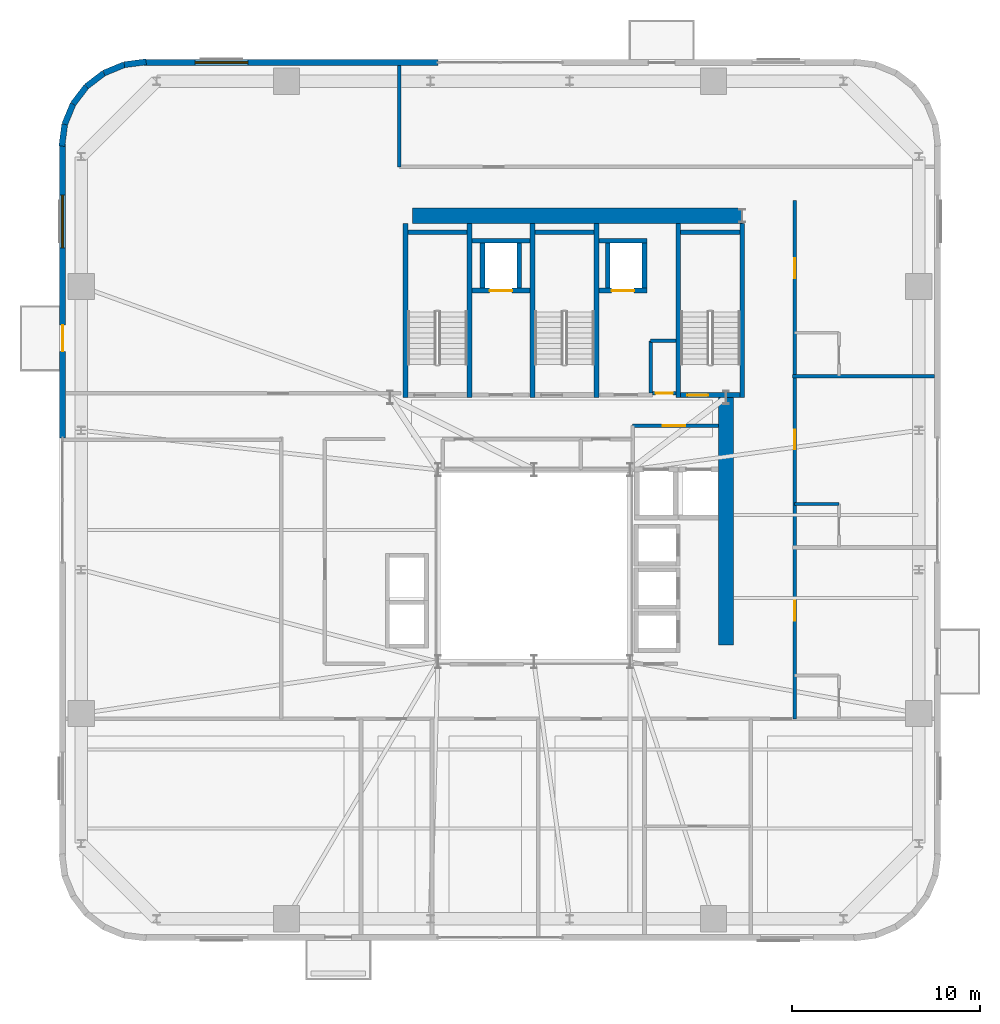
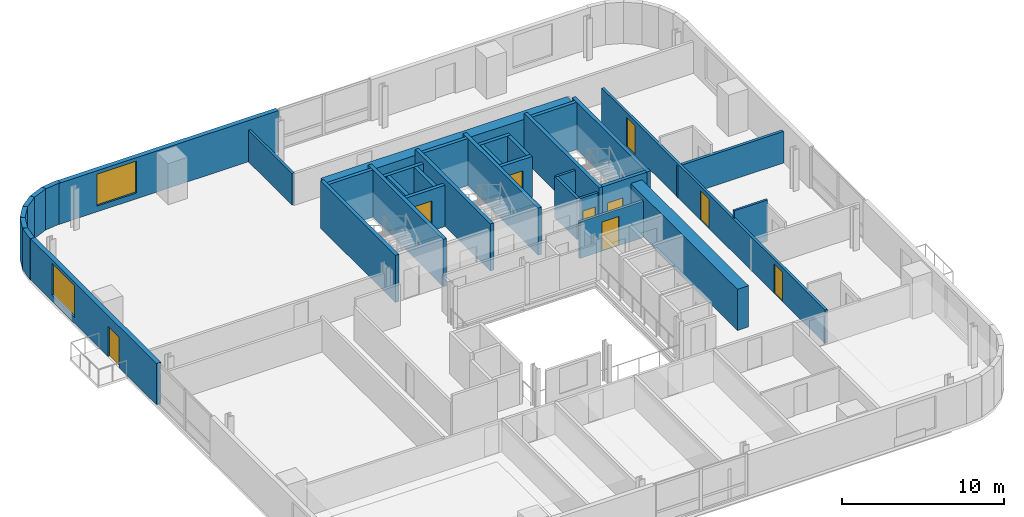
# One storey, part 9 of 13: 36 walls, 9 doors, 2 windows, 11 openings.
"""IFC4 building model written with IfcOpenShell, lengths in metres."""

from ifc_helpers import new_model, si_unit, direction, frame, frame_2d, origin, place, context, subcontext, project, spatial, rectangle, extrude, source, transform, mapped, material, layer, layer_set, type_object, element, fill, save


model = new_model("IFC4")

# Units and contexts
model_context = context("Model", 3, precision=1e-05, world=origin(), true_north=direction((0.0, 1.0)))
body_context = subcontext(model_context, "Body", "Model", "MODEL_VIEW")
ifc_project = project(units=[si_unit("LENGTHUNIT", "METRE"), si_unit("AREAUNIT", "SQUARE_METRE"), si_unit("VOLUMEUNIT", "CUBIC_METRE"), si_unit("PLANEANGLEUNIT", "RADIAN"), si_unit("MASSUNIT", "GRAM", prefix="KILO")], contexts=[model_context])

# Site, building, storey
site_placement = place(None, origin())
site = spatial("IfcSite", under=ifc_project, at=site_placement, CompositionType="ELEMENT")
building_placement = place(site_placement, origin())
building = spatial("IfcBuilding", under=site, at=building_placement, Name="Vardaveli Station Tower", CompositionType="ELEMENT")
storey_placement = place(building_placement, frame((0.0, 0.0, 233.550048828125)))
storey = spatial("IfcBuildingStorey", under=building, at=storey_placement, Name="L60", CompositionType="ELEMENT", Elevation=233.550048828125)

# Walls
ifc_material_1 = material(Name="Concrete C50/60", Category="concrete")
ifc_layer_1 = layer(ifc_material_1, 0.800048828125, Name="Concrete C50/60")
ifc_layer_set_1 = layer_set([ifc_layer_1], Name="Concrete C50/60")
wall_type_1 = type_object("IfcWallType", Name="WAL-CORE-800", PredefinedType="SHEAR", material=ifc_layer_set_1)
shared_shape_1 = source(origin(), body_context, "Body", "SweptSolid", [
    extrude(rectangle(XDim=17.52001953125, YDim=0.800048828125, at=frame_2d((8.760009765625, 0.0))), origin(), (0.0, 0.0, 1.0), 3.099853515625),
])
wall_1_placement = place(storey_placement, frame((29.85009765625, 40.300048828125, 0.0), z_axis=(0.0, 0.0, 1.0), x_axis=(1.0, 0.0, 0.0)))
element("IfcWall", 1, at=wall_1_placement, inside=storey, type_object=wall_type_1, Name="SW-L60-NORTH", PredefinedType="SHEAR", context=body_context, shape_type="MappedRepresentation", body=[
    mapped(shared_shape_1, transform((0.0, 0.0, 0.0), scale=1.0)),
])
shared_shape_2 = source(origin(), body_context, "Body", "SweptSolid", [
    extrude(rectangle(XDim=13.14990234375, YDim=0.800048828125, at=frame_2d((6.574951171875, 0.0))), origin(), (0.0, 0.0, 1.0), 3.099853515625),
])
wall_2_placement = place(storey_placement, frame((46.5, 17.5, 0.0), z_axis=(0.0, 0.0, 1.0), x_axis=(0.0, 1.0, 0.0)))
element("IfcWall", 2, at=wall_2_placement, inside=storey, type_object=wall_type_1, Name="SW-L60-EAST2", PredefinedType="SHEAR", context=body_context, shape_type="MappedRepresentation", body=[
    mapped(shared_shape_2, transform((0.0, 0.0, 0.0), scale=1.0)),
])

# Wall, opening, window
ifc_material_2 = material(Name="Precast concrete C45/55", Category="concrete")
ifc_layer_2 = layer(ifc_material_2, 0.320068359375, Name="Precast concrete C45/55")
ifc_layer_set_2 = layer_set([ifc_layer_2], Name="Precast concrete C45/55")
wall_type_2 = type_object("IfcWallType", Name="WAL-EXT-STONE-320", PredefinedType="SOLIDWALL", material=ifc_layer_set_2)
shared_shape_3 = source(origin(), body_context, "Body", "SweptSolid", [
    extrude(rectangle(XDim=15.599853515625, YDim=0.320068359375, at=frame_2d((7.7998046875, 0.0))), origin(), (0.0, 0.0, 1.0), 3.099853515625),
])
wall_3_placement = place(storey_placement, frame((31.199951171875, 48.43994140625, 0.0), z_axis=(0.0, 0.0, 1.0), x_axis=(-1.0, 0.0, 0.0)))
wall_3 = element("IfcWall", 3, at=wall_3_placement, inside=storey, type_object=wall_type_2, Name="EW-L60-N2", PredefinedType="SOLIDWALL", context=body_context, shape_type="MappedRepresentation", body=[
    mapped(shared_shape_3, transform((0.0, 0.0, 0.0), scale=1.0)),
])
shared_shape_4 = source(origin(), body_context, "Body", "SweptSolid", [
    extrude(rectangle(XDim=2.800048828125, YDim=2.39990234375, at=frame_2d((1.39990234375, 1.199951171875))), frame((0.0, 0.169921875, 0.0), z_axis=(0.0, -1.0, 0.0), x_axis=(1.0, 0.0, 0.0)), (0.0, 0.0, 1.0), 0.340087890625),
])
opening_1_placement = place(wall_3_placement, frame((10.094970703125, 0.0, 0.43994140625)))
opening_1 = element("IfcOpeningElement", 4, at=opening_1_placement, cuts=wall_3, Name="Opening W-04", PredefinedType="OPENING", context=body_context, shape_type="MappedRepresentation", body=[
    mapped(shared_shape_4, transform((0.0, 0.0, 0.0), scale=1.0)),
])
ifc_material_3 = material(Name="Low-E solar-control glass", Category="glass")
window_type = type_object("IfcWindowType", Name="WIN-SUITE-2800x2400", PartitioningType="SINGLE_PANEL", PredefinedType="WINDOW", material=ifc_material_3)
shared_shape_5 = source(origin(), body_context, "Body", "SweptSolid", [
    extrude(rectangle(XDim=2.800048828125, YDim=2.39990234375, at=frame_2d((1.39990234375, 1.199951171875))), frame((0.0, 0.030029296875, 0.0), z_axis=(0.0, -1.0, 0.0), x_axis=(1.0, 0.0, 0.0)), (0.0, 0.0, 1.0), 0.06005859375),
])
window_1_placement = place(opening_1_placement, origin())
window_1 = element("IfcWindow", 5, at=window_1_placement, inside=storey, type_object=window_type, Name="WN-L60-N2", OverallHeight=2.39990234375, OverallWidth=2.800048828125, PartitioningType="SINGLE_PANEL", PredefinedType="WINDOW", context=body_context, shape_type="MappedRepresentation", body=[
    mapped(shared_shape_5, transform((0.0, 0.0, 0.0), scale=1.0)),
])
fill(opening_1, window_1)

# Wall, openings, door, window
shared_shape_6 = source(origin(), body_context, "Body", "SweptSolid", [
    extrude(rectangle(XDim=15.60009765625, YDim=0.320068359375, at=frame_2d((7.800048828125, 0.0))), origin(), (0.0, 0.0, 1.0), 3.099853515625),
])
wall_4_placement = place(storey_placement, frame((11.260009765625, 44.10009765625, 0.0), z_axis=(0.0, 0.0, 1.0), x_axis=(0.0, -1.0, 0.0)))
wall_4 = element("IfcWall", 6, at=wall_4_placement, inside=storey, type_object=wall_type_2, Name="EW-L60-W1", PredefinedType="SOLIDWALL", context=body_context, shape_type="MappedRepresentation", body=[
    mapped(shared_shape_6, transform((0.0, 0.0, 0.0), scale=1.0)),
])
shared_shape_7 = source(origin(), body_context, "Body", "SweptSolid", [
    extrude(rectangle(XDim=1.39990234375, YDim=2.300048828125, at=frame_2d((0.699951171875, 1.14990234375))), frame((0.0, 0.169921875, 0.0), z_axis=(0.0, -1.0, 0.0), x_axis=(1.0, 0.0, 0.0)), (0.0, 0.0, 1.0), 0.340087890625),
])
opening_2_placement = place(wall_4_placement, frame((9.6103515625, 0.0, 0.0)))
opening_2 = element("IfcOpeningElement", 7, at=opening_2_placement, cuts=wall_4, Name="Opening D-09", PredefinedType="OPENING", context=body_context, shape_type="MappedRepresentation", body=[
    mapped(shared_shape_7, transform((0.0, 0.0, 0.0), scale=1.0)),
])
opening_3_placement = place(wall_4_placement, frame((2.705078125, 0.0, 0.43994140625)))
opening_3 = element("IfcOpeningElement", 8, at=opening_3_placement, cuts=wall_4, Name="Opening W-04", PredefinedType="OPENING", context=body_context, shape_type="MappedRepresentation", body=[
    mapped(shared_shape_4, transform((0.0, 0.0, 0.0), scale=1.0)),
])
ifc_material_4 = material(Name="Thermally broken aluminium glass", Category="aluminium")
door_type_1 = type_object("IfcDoorType", Name="DR-LOG-1400x2300", OperationType="DOUBLE_DOOR_SLIDING", PredefinedType="DOOR", material=ifc_material_4)
shared_shape_8 = source(origin(), body_context, "Body", "SweptSolid", [
    extrude(rectangle(XDim=1.39990234375, YDim=2.300048828125, at=frame_2d((0.699951171875, 1.14990234375))), frame((0.0, 0.02490234375, 0.0), z_axis=(0.0, -1.0, 0.0), x_axis=(1.0, 0.0, 0.0)), (0.0, 0.0, 1.0), 0.050048828125),
])
door_1_placement = place(opening_2_placement, frame((1.39990234375, 0.0, 0.0), z_axis=(0.0, 0.0, 1.0), x_axis=(-1.0, 0.0, 0.0)))
door_1 = element("IfcDoor", 9, at=door_1_placement, inside=storey, type_object=door_type_1, Name="DLG-L60-W", OperationType="DOUBLE_DOOR_SLIDING", OverallHeight=2.300048828125, OverallWidth=1.39990234375, PredefinedType="DOOR", context=body_context, shape_type="MappedRepresentation", body=[
    mapped(shared_shape_8, transform((0.0, 0.0, 0.0), scale=1.0)),
])
fill(opening_2, door_1)
window_2_placement = place(opening_3_placement, origin())
window_2 = element("IfcWindow", 10, at=window_2_placement, inside=storey, type_object=window_type, Name="WN-L60-W1", OverallHeight=2.39990234375, OverallWidth=2.800048828125, PartitioningType="SINGLE_PANEL", PredefinedType="WINDOW", context=body_context, shape_type="MappedRepresentation", body=[
    mapped(shared_shape_5, transform((0.0, 0.0, 0.0), scale=1.0)),
])
fill(opening_3, window_2)

# Walls
shared_shape_9 = source(origin(), body_context, "Body", "SweptSolid", [
    extrude(rectangle(XDim=1.1689453125, YDim=0.320068359375, at=frame_2d((0.58447265625, 0.0))), origin(), (0.0, 0.0, 1.0), 3.099853515625),
])
wall_5_placement = place(storey_placement, frame((12.53125, 47.1689453125, 0.0), z_axis=(0.0, 0.0, 1.0), x_axis=(-0.608387696831, -0.793639975269, 0.0)))
element("IfcWall", 11, at=wall_5_placement, inside=storey, type_object=wall_type_2, Name="EW-L60-CR4-4", PredefinedType="SOLIDWALL", context=body_context, shape_type="MappedRepresentation", body=[
    mapped(shared_shape_9, transform((0.0, 0.0, 0.0), scale=1.0)),
])
shared_shape_10 = source(origin(), body_context, "Body", "SweptSolid", [
    extrude(rectangle(XDim=1.168701171875, YDim=0.320068359375, at=frame_2d((0.58447265625, 0.0))), origin(), (0.0, 0.0, 1.0), 3.099853515625),
])
wall_6_placement = place(storey_placement, frame((13.458740234375, 47.8798828125, 0.0), z_axis=(0.0, 0.0, 1.0), x_axis=(-0.793663520347, -0.608356981114, 0.0)))
element("IfcWall", 12, at=wall_6_placement, inside=storey, type_object=wall_type_2, Name="EW-L60-CR4-3", PredefinedType="SOLIDWALL", context=body_context, shape_type="MappedRepresentation", body=[
    mapped(shared_shape_10, transform((0.0, 0.0, 0.0), scale=1.0)),
])
shared_shape_11 = source(origin(), body_context, "Body", "SweptSolid", [
    extrude(rectangle(XDim=1.17041015625, YDim=0.320068359375, at=frame_2d((0.585205078125, 0.0))), origin(), (0.0, 0.0, 1.0), 3.099853515625),
])
for number, where, z_axis, x_axis, name in (
    (13, (15.700439453125, 48.4755859375, 0.0), (0.0, 0.0, 1.0), (-0.991735963317, -0.128295670475, 0.0), "EW-L60-CR4-1"),
    (14, (11.37451171875, 45.16015625, 0.0), (0.0, 0.0, 1.0), (-0.128295670475, -0.991735963317, 0.0), "EW-L60-CR4-6"),
):
    element("IfcWall", number, at=place(storey_placement, frame(where, z_axis=z_axis, x_axis=x_axis)), inside=storey, type_object=wall_type_2, Name=name, PredefinedType="SOLIDWALL", context=body_context, shape_type="MappedRepresentation", body=[
        mapped(shared_shape_11, transform((0.0, 0.0, 0.0), scale=1.0)),
    ])
shared_shape_12 = source(origin(), body_context, "Body", "SweptSolid", [
    extrude(rectangle(XDim=1.169189453125, YDim=0.320068359375, at=frame_2d((0.58447265625, 0.0))), origin(), (0.0, 0.0, 1.0), 3.099853515625),
])
for number, where, z_axis, x_axis, name in (
    (15, (14.539794921875, 48.325439453125, 0.0), (0.0, 0.0, 1.0), (-0.924552646638, -0.381054331552, 0.0), "EW-L60-CR4-2"),
    (16, (11.820068359375, 46.2412109375, 0.0), (0.0, 0.0, 1.0), (-0.381054331552, -0.924552646638, 0.0), "EW-L60-CR4-5"),
):
    element("IfcWall", number, at=place(storey_placement, frame(where, z_axis=z_axis, x_axis=x_axis)), inside=storey, type_object=wall_type_2, Name=name, PredefinedType="SOLIDWALL", context=body_context, shape_type="MappedRepresentation", body=[
        mapped(shared_shape_12, transform((0.0, 0.0, 0.0), scale=1.0)),
    ])
ifc_material_5 = material(Name="Concrete C40/50", Category="concrete")
ifc_layer_3 = layer(ifc_material_5, 0.25, Name="Concrete C40/50")
ifc_layer_set_3 = layer_set([ifc_layer_3], Name="Concrete C40/50")
wall_type_3 = type_object("IfcWallType", Name="WAL-SHAFT-250", PredefinedType="SOLIDWALL", material=ifc_layer_set_3)
shared_shape_13 = source(origin(), body_context, "Body", "SweptSolid", [
    extrude(rectangle(XDim=9.25, YDim=0.25, at=frame_2d((4.625, 0.0))), origin(), (0.0, 0.0, 1.0), 3.550048828125),
])
for number, where, z_axis, x_axis, name in (
    (17, (29.47509765625, 30.64990234375, 0.0), (0.0, 0.0, 1.0), (0.0, 1.0, 0.0), "W-L60-ST-1W"),
    (18, (32.875, 30.64990234375, 0.0), (0.0, 0.0, 1.0), (0.0, 1.0, 0.0), "W-L60-ST-1E"),
    (19, (36.22509765625, 30.64990234375, 0.0), (0.0, 0.0, 1.0), (0.0, 1.0, 0.0), "W-L60-ST-2W"),
    (20, (39.625, 30.64990234375, 0.0), (0.0, 0.0, 1.0), (0.0, 1.0, 0.0), "W-L60-ST-2E"),
    (21, (43.97509765625, 30.64990234375, 0.0), (0.0, 0.0, 1.0), (0.0, 1.0, 0.0), "W-L60-ST-3W"),
    (22, (47.375, 30.64990234375, 0.0), (0.0, 0.0, 1.0), (0.0, 1.0, 0.0), "W-L60-ST-3E"),
):
    element("IfcWall", number, at=place(storey_placement, frame(where, z_axis=z_axis, x_axis=x_axis)), inside=storey, type_object=wall_type_3, Name=name, PredefinedType="SOLIDWALL", context=body_context, shape_type="MappedRepresentation", body=[
        mapped(shared_shape_13, transform((0.0, 0.0, 0.0), scale=1.0)),
    ])
shared_shape_14 = source(origin(), body_context, "Body", "SweptSolid", [
    extrude(rectangle(XDim=3.14990234375, YDim=0.25, at=frame_2d((1.574951171875, 0.0))), origin(), (0.0, 0.0, 1.0), 3.550048828125),
])
for number, where, z_axis, x_axis, name in (
    (23, (29.60009765625, 39.425048828125, 0.0), (0.0, 0.0, 1.0), (1.0, 0.0, 0.0), "W-L60-ST-1N"),
    (24, (36.35009765625, 39.425048828125, 0.0), (0.0, 0.0, 1.0), (1.0, 0.0, 0.0), "W-L60-ST-2N"),
    (25, (44.10009765625, 39.425048828125, 0.0), (0.0, 0.0, 1.0), (1.0, 0.0, 0.0), "W-L60-ST-3N"),
):
    element("IfcWall", number, at=place(storey_placement, frame(where, z_axis=z_axis, x_axis=x_axis)), inside=storey, type_object=wall_type_3, Name=name, PredefinedType="SOLIDWALL", context=body_context, shape_type="MappedRepresentation", body=[
        mapped(shared_shape_14, transform((0.0, 0.0, 0.0), scale=1.0)),
    ])

# Wall, opening, door
wall_7_placement = place(storey_placement, frame((44.10009765625, 30.77490234375, 0.0), z_axis=(0.0, 0.0, 1.0), x_axis=(1.0, 0.0, 0.0)))
wall_7 = element("IfcWall", 26, at=wall_7_placement, inside=storey, type_object=wall_type_3, Name="W-L60-ST-3S", PredefinedType="SOLIDWALL", context=body_context, shape_type="MappedRepresentation", body=[
    mapped(shared_shape_14, transform((0.0, 0.0, 0.0), scale=1.0)),
])
shared_shape_15 = source(origin(), body_context, "Body", "SweptSolid", [
    extrude(rectangle(XDim=1.10009765625, YDim=2.199951171875, at=frame_2d((0.550048828125, 1.10009765625))), frame((0.0, 0.135009765625, 0.0), z_axis=(0.0, -1.0, 0.0), x_axis=(1.0, 0.0, 0.0)), (0.0, 0.0, 1.0), 0.27001953125),
])
opening_4_placement = place(wall_7_placement, frame((0.35009765625, 0.0, 0.0)))
opening_4 = element("IfcOpeningElement", 27, at=opening_4_placement, cuts=wall_7, Name="Opening D-04", PredefinedType="OPENING", context=body_context, shape_type="MappedRepresentation", body=[
    mapped(shared_shape_15, transform((0.0, 0.0, 0.0), scale=1.0)),
])
ifc_material_6 = material(Name="Steel smokeproof fire doorset", Category="steel")
door_type_2 = type_object("IfcDoorType", Name="DR-ST-1100x2200", OperationType="NOTDEFINED", PredefinedType="DOOR", material=ifc_material_6)
shared_shape_16 = source(origin(), body_context, "Body", "SweptSolid", [
    extrude(rectangle(XDim=1.10009765625, YDim=2.199951171875, at=frame_2d((0.550048828125, 1.10009765625))), frame((0.0, 0.02490234375, 0.0), z_axis=(0.0, -1.0, 0.0), x_axis=(1.0, 0.0, 0.0)), (0.0, 0.0, 1.0), 0.050048828125),
])
door_2_placement = place(opening_4_placement, origin())
door_2 = element("IfcDoor", 28, at=door_2_placement, inside=storey, type_object=door_type_2, Name="DST-3-L60", OperationType="SINGLE_SWING_LEFT", OverallHeight=2.199951171875, OverallWidth=1.10009765625, PredefinedType="DOOR", context=body_context, shape_type="MappedRepresentation", body=[
    mapped(shared_shape_16, transform((0.0, 0.0, 0.0), scale=1.0)),
])
fill(opening_4, door_2)

shared_shape_17 = source(origin(), body_context, "Body", "SweptSolid", [
    extrude(rectangle(XDim=3.10009765625, YDim=0.25, at=frame_2d((1.550048828125, 0.0))), origin(), (0.0, 0.0, 1.0), 3.099853515625),
])
wall_8_placement = place(storey_placement, frame((33.0, 36.324951171875, 0.0), z_axis=(0.0, 0.0, 1.0), x_axis=(1.0, 0.0, 0.0)))
wall_8 = element("IfcWall", 29, at=wall_8_placement, inside=storey, type_object=wall_type_3, Name="SHW-FFL-01-L60-S", PredefinedType="SOLIDWALL", context=body_context, shape_type="MappedRepresentation", body=[
    mapped(shared_shape_17, transform((0.0, 0.0, 0.0), scale=1.0)),
])
shared_shape_18 = source(origin(), body_context, "Body", "SweptSolid", [
    extrude(rectangle(XDim=1.199951171875, YDim=2.25, at=frame_2d((0.60009765625, 1.125))), frame((0.0, 0.135009765625, 0.0), z_axis=(0.0, -1.0, 0.0), x_axis=(1.0, 0.0, 0.0)), (0.0, 0.0, 1.0), 0.27001953125),
])
opening_5_placement = place(wall_8_placement, frame((0.949951171875, 0.0, 0.0)))
opening_5 = element("IfcOpeningElement", 30, at=opening_5_placement, cuts=wall_8, Name="Opening LD-02", PredefinedType="OPENING", context=body_context, shape_type="MappedRepresentation", body=[
    mapped(shared_shape_18, transform((0.0, 0.0, 0.0), scale=1.0)),
])
ifc_material_7 = material(Name="Brushed stainless steel", Category="steel")
door_type_3 = type_object("IfcDoorType", Name="DR-LD-1200x2250", OperationType="DOUBLE_DOOR_SLIDING", PredefinedType="DOOR", material=ifc_material_7)
shared_shape_19 = source(origin(), body_context, "Body", "SweptSolid", [
    extrude(rectangle(XDim=1.199951171875, YDim=2.25, at=frame_2d((0.60009765625, 1.125))), frame((0.0, 0.02490234375, 0.0), z_axis=(0.0, -1.0, 0.0), x_axis=(1.0, 0.0, 0.0)), (0.0, 0.0, 1.0), 0.050048828125),
])
door_3_placement = place(opening_5_placement, origin())
door_3 = element("IfcDoor", 31, at=door_3_placement, inside=storey, type_object=door_type_3, Name="LD-FFL-01-L60", OperationType="DOUBLE_DOOR_SLIDING", OverallHeight=2.25, OverallWidth=1.199951171875, PredefinedType="DOOR", context=body_context, shape_type="MappedRepresentation", body=[
    mapped(shared_shape_19, transform((0.0, 0.0, 0.0), scale=1.0)),
])
fill(opening_5, door_3)

# Walls
wall_9_placement = place(storey_placement, frame((33.0, 38.97509765625, 0.0), z_axis=(0.0, 0.0, 1.0), x_axis=(1.0, 0.0, 0.0)))
element("IfcWall", 32, at=wall_9_placement, inside=storey, type_object=wall_type_3, Name="SHW-FFL-01-L60-N", PredefinedType="SOLIDWALL", context=body_context, shape_type="MappedRepresentation", body=[
    mapped(shared_shape_17, transform((0.0, 0.0, 0.0), scale=1.0)),
])
shared_shape_20 = source(origin(), body_context, "Body", "SweptSolid", [
    extrude(rectangle(XDim=2.400146484375, YDim=0.25, at=frame_2d((1.2001953125, 0.0))), origin(), (0.0, 0.0, 1.0), 3.099853515625),
])
for number, where, z_axis, x_axis, name in (
    (33, (33.574951171875, 36.449951171875, 0.0), (0.0, 0.0, 1.0), (0.0, 1.0, 0.0), "SHW-FFL-01-L60-W"),
    (34, (35.52490234375, 36.449951171875, 0.0), (0.0, 0.0, 1.0), (0.0, 1.0, 0.0), "SHW-FFL-01-L60-E"),
    (35, (40.22509765625, 36.449951171875, 0.0), (0.0, 0.0, 1.0), (0.0, 1.0, 0.0), "SHW-FFL-02-L60-W"),
    (36, (42.175048828125, 36.449951171875, 0.0), (0.0, 0.0, 1.0), (0.0, 1.0, 0.0), "SHW-FFL-02-L60-E"),
):
    element("IfcWall", number, at=place(storey_placement, frame(where, z_axis=z_axis, x_axis=x_axis)), inside=storey, type_object=wall_type_3, Name=name, PredefinedType="SOLIDWALL", context=body_context, shape_type="MappedRepresentation", body=[
        mapped(shared_shape_20, transform((0.0, 0.0, 0.0), scale=1.0)),
    ])

# Wall, opening, door
shared_shape_21 = source(origin(), body_context, "Body", "SweptSolid", [
    extrude(rectangle(XDim=2.550048828125, YDim=0.25, at=frame_2d((1.27490234375, 0.0))), origin(), (0.0, 0.0, 1.0), 3.099853515625),
])
wall_10_placement = place(storey_placement, frame((39.75, 36.324951171875, 0.0), z_axis=(0.0, 0.0, 1.0), x_axis=(1.0, 0.0, 0.0)))
wall_10 = element("IfcWall", 37, at=wall_10_placement, inside=storey, type_object=wall_type_3, Name="SHW-FFL-02-L60-S", PredefinedType="SOLIDWALL", context=body_context, shape_type="MappedRepresentation", body=[
    mapped(shared_shape_21, transform((0.0, 0.0, 0.0), scale=1.0)),
])
opening_6_placement = place(wall_10_placement, frame((0.675048828125, 0.0, 0.0)))
opening_6 = element("IfcOpeningElement", 38, at=opening_6_placement, cuts=wall_10, Name="Opening LD-02", PredefinedType="OPENING", context=body_context, shape_type="MappedRepresentation", body=[
    mapped(shared_shape_18, transform((0.0, 0.0, 0.0), scale=1.0)),
])
door_4_placement = place(opening_6_placement, origin())
door_4 = element("IfcDoor", 39, at=door_4_placement, inside=storey, type_object=door_type_3, Name="LD-FFL-02-L60", OperationType="DOUBLE_DOOR_SLIDING", OverallHeight=2.25, OverallWidth=1.199951171875, PredefinedType="DOOR", context=body_context, shape_type="MappedRepresentation", body=[
    mapped(shared_shape_19, transform((0.0, 0.0, 0.0), scale=1.0)),
])
fill(opening_6, door_4)

# Wall
wall_11_placement = place(storey_placement, frame((39.75, 38.97509765625, 0.0), z_axis=(0.0, 0.0, 1.0), x_axis=(1.0, 0.0, 0.0)))
element("IfcWall", 40, at=wall_11_placement, inside=storey, type_object=wall_type_3, Name="SHW-FFL-02-L60-N", PredefinedType="SOLIDWALL", context=body_context, shape_type="MappedRepresentation", body=[
    mapped(shared_shape_21, transform((0.0, 0.0, 0.0), scale=1.0)),
])

# Wall, openings, doors
ifc_material_8 = material(Name="Fire-rated gypsum stud partition")
ifc_layer_4 = layer(ifc_material_8, 0.179931640625, Name="Fire-rated gypsum stud partition")
ifc_layer_set_4 = layer_set([ifc_layer_4], Name="Fire-rated gypsum stud partition")
wall_type_4 = type_object("IfcWallType", Name="WAL-CORR-180", PredefinedType="PARTITIONING", material=ifc_layer_set_4)
shared_shape_22 = source(origin(), body_context, "Body", "SweptSolid", [
    extrude(rectangle(XDim=27.530029296875, YDim=0.179931640625, at=frame_2d((13.76513671875, 0.0))), origin(), (0.0, 0.0, 1.0), 2.5419921875),
])
wall_12_placement = place(storey_placement, frame((50.14990234375, 13.570068359375, 0.0), z_axis=(0.0, 0.0, 1.0), x_axis=(0.0, 1.0, 0.0)))
wall_12 = element("IfcWall", 41, at=wall_12_placement, inside=storey, type_object=wall_type_4, Name="W-L60-CE", PredefinedType="PARTITIONING", context=body_context, shape_type="MappedRepresentation", body=[
    mapped(shared_shape_22, transform((0.0, 0.0, 0.0), scale=1.0)),
])
shared_shape_23 = source(origin(), body_context, "Body", "SweptSolid", [
    extrude(rectangle(XDim=1.050048828125, YDim=2.199951171875, at=frame_2d((0.52490234375, 1.10009765625))), frame((0.0, 0.10009765625, 0.0), z_axis=(0.0, -1.0, 0.0), x_axis=(1.0, 0.0, 0.0)), (0.0, 0.0, 1.0), 0.199951171875),
])
opening_7_placement = place(wall_12_placement, frame((5.216796875, 0.0, 0.0)))
opening_7 = element("IfcOpeningElement", 42, at=opening_7_placement, cuts=wall_12, Name="Opening D-05", PredefinedType="OPENING", context=body_context, shape_type="MappedRepresentation", body=[
    mapped(shared_shape_23, transform((0.0, 0.0, 0.0), scale=1.0)),
])
opening_8_placement = place(wall_12_placement, frame((14.320068359375, 0.0, 0.0)))
opening_8 = element("IfcOpeningElement", 43, at=opening_8_placement, cuts=wall_12, Name="Opening D-05", PredefinedType="OPENING", context=body_context, shape_type="MappedRepresentation", body=[
    mapped(shared_shape_23, transform((0.0, 0.0, 0.0), scale=1.0)),
])
opening_9_placement = place(wall_12_placement, frame((23.42333984375, 0.0, 0.0)))
opening_9 = element("IfcOpeningElement", 44, at=opening_9_placement, cuts=wall_12, Name="Opening D-05", PredefinedType="OPENING", context=body_context, shape_type="MappedRepresentation", body=[
    mapped(shared_shape_23, transform((0.0, 0.0, 0.0), scale=1.0)),
])
ifc_material_9 = material(Name="Walnut veneer acoustic fire door")
door_type_4 = type_object("IfcDoorType", Name="DR-SUITE-1050x2200", OperationType="NOTDEFINED", PredefinedType="DOOR", material=ifc_material_9)
shared_shape_24 = source(origin(), body_context, "Body", "SweptSolid", [
    extrude(rectangle(XDim=1.050048828125, YDim=2.199951171875, at=frame_2d((0.52490234375, 1.10009765625))), frame((0.0, 0.02490234375, 0.0), z_axis=(0.0, -1.0, 0.0), x_axis=(1.0, 0.0, 0.0)), (0.0, 0.0, 1.0), 0.050048828125),
])
door_5_placement = place(opening_7_placement, origin())
door_5 = element("IfcDoor", 45, at=door_5_placement, inside=storey, type_object=door_type_4, Name="D-L60-GE1", OperationType="SINGLE_SWING_RIGHT", OverallHeight=2.199951171875, OverallWidth=1.050048828125, PredefinedType="DOOR", context=body_context, shape_type="MappedRepresentation", body=[
    mapped(shared_shape_24, transform((0.0, 0.0, 0.0), scale=1.0)),
])
fill(opening_7, door_5)
door_6_placement = place(opening_8_placement, origin())
door_6 = element("IfcDoor", 46, at=door_6_placement, inside=storey, type_object=door_type_4, Name="D-L60-GE2", OperationType="SINGLE_SWING_LEFT", OverallHeight=2.199951171875, OverallWidth=1.050048828125, PredefinedType="DOOR", context=body_context, shape_type="MappedRepresentation", body=[
    mapped(shared_shape_24, transform((0.0, 0.0, 0.0), scale=1.0)),
])
fill(opening_8, door_6)
door_7_placement = place(opening_9_placement, origin())
door_7 = element("IfcDoor", 47, at=door_7_placement, inside=storey, type_object=door_type_4, Name="D-L60-GE3", OperationType="SINGLE_SWING_RIGHT", OverallHeight=2.199951171875, OverallWidth=1.050048828125, PredefinedType="DOOR", context=body_context, shape_type="MappedRepresentation", body=[
    mapped(shared_shape_24, transform((0.0, 0.0, 0.0), scale=1.0)),
])
fill(opening_9, door_7)

# Wall, opening, door
shared_shape_25 = source(origin(), body_context, "Body", "SweptSolid", [
    extrude(rectangle(XDim=4.5478515625, YDim=0.179931640625, at=frame_2d((2.27392578125, 0.0))), origin(), (0.0, 0.0, 1.0), 2.73193359375),
])
wall_13_placement = place(storey_placement, frame((41.550048828125, 29.14990234375, 0.0), z_axis=(0.0, 0.0, 1.0), x_axis=(1.0, 0.0, 0.0)))
wall_13 = element("IfcWall", 48, at=wall_13_placement, inside=storey, type_object=wall_type_4, Name="W-L60-SVFN", PredefinedType="PARTITIONING", context=body_context, shape_type="MappedRepresentation", body=[
    mapped(shared_shape_25, transform((0.0, 0.0, 0.0), scale=1.0)),
])
shared_shape_26 = source(origin(), body_context, "Body", "SweptSolid", [
    extrude(rectangle(XDim=1.199951171875, YDim=2.199951171875, at=frame_2d((0.60009765625, 1.10009765625))), frame((0.0, 0.10009765625, 0.0), z_axis=(0.0, -1.0, 0.0), x_axis=(1.0, 0.0, 0.0)), (0.0, 0.0, 1.0), 0.199951171875),
])
opening_10_placement = place(wall_13_placement, frame((1.60009765625, 0.0, 0.0)))
opening_10 = element("IfcOpeningElement", 49, at=opening_10_placement, cuts=wall_13, Name="Opening D-03", PredefinedType="OPENING", context=body_context, shape_type="MappedRepresentation", body=[
    mapped(shared_shape_26, transform((0.0, 0.0, 0.0), scale=1.0)),
])
door_type_5 = type_object("IfcDoorType", Name="DR-FFL-1200x2200", OperationType="NOTDEFINED", PredefinedType="DOOR", material=ifc_material_6)
shared_shape_27 = source(origin(), body_context, "Body", "SweptSolid", [
    extrude(rectangle(XDim=1.199951171875, YDim=2.199951171875, at=frame_2d((0.60009765625, 1.10009765625))), frame((0.0, 0.02490234375, 0.0), z_axis=(0.0, -1.0, 0.0), x_axis=(1.0, 0.0, 0.0)), (0.0, 0.0, 1.0), 0.050048828125),
])
door_8_placement = place(opening_10_placement, origin())
door_8 = element("IfcDoor", 50, at=door_8_placement, inside=storey, type_object=door_type_5, Name="D-L60-SVF", OperationType="SINGLE_SWING_LEFT", OverallHeight=2.199951171875, OverallWidth=1.199951171875, PredefinedType="DOOR", context=body_context, shape_type="MappedRepresentation", body=[
    mapped(shared_shape_27, transform((0.0, 0.0, 0.0), scale=1.0)),
])
fill(opening_10, door_8)

shared_shape_28 = source(origin(), body_context, "Body", "SweptSolid", [
    extrude(rectangle(XDim=1.247802734375, YDim=0.179931640625, at=frame_2d((0.6240234375, 0.0))), origin(), (0.0, 0.0, 1.0), 3.099853515625),
])
wall_14_placement = place(storey_placement, frame((42.60009765625, 30.8798828125, 0.0), z_axis=(0.0, 0.0, 1.0), x_axis=(1.0, 0.0, 0.0)))
wall_14 = element("IfcWall", 51, at=wall_14_placement, inside=storey, type_object=wall_type_4, Name="W-L60-CBS0-S", PredefinedType="PARTITIONING", context=body_context, shape_type="MappedRepresentation", body=[
    mapped(shared_shape_28, transform((0.0, 0.0, 0.0), scale=1.0)),
])
shared_shape_29 = source(origin(), body_context, "Body", "SweptSolid", [
    extrude(rectangle(XDim=0.919921875, YDim=2.10009765625, at=frame_2d((0.4599609375, 1.050048828125))), frame((0.0, 0.10009765625, 0.0), z_axis=(0.0, -1.0, 0.0), x_axis=(1.0, 0.0, 0.0)), (0.0, 0.0, 1.0), 0.199951171875),
])
opening_11_placement = place(wall_14_placement, frame((0.1640625, 0.0, 0.0)))
opening_11 = element("IfcOpeningElement", 52, at=opening_11_placement, cuts=wall_14, Name="Opening D-07", PredefinedType="OPENING", context=body_context, shape_type="MappedRepresentation", body=[
    mapped(shared_shape_29, transform((0.0, 0.0, 0.0), scale=1.0)),
])
ifc_material_10 = material(Name="Moisture-resistant hardwood door", Category="wood")
door_type_6 = type_object("IfcDoorType", Name="DR-WC-920x2100", OperationType="NOTDEFINED", PredefinedType="DOOR", material=ifc_material_10)
shared_shape_30 = source(origin(), body_context, "Body", "SweptSolid", [
    extrude(rectangle(XDim=0.919921875, YDim=2.10009765625, at=frame_2d((0.4599609375, 1.050048828125))), frame((0.0, 0.02490234375, 0.0), z_axis=(0.0, -1.0, 0.0), x_axis=(1.0, 0.0, 0.0)), (0.0, 0.0, 1.0), 0.050048828125),
])
door_9_placement = place(opening_11_placement, origin())
door_9 = element("IfcDoor", 53, at=door_9_placement, inside=storey, type_object=door_type_6, Name="D-L60-CBS0", OperationType="SINGLE_SWING_LEFT", OverallHeight=2.10009765625, OverallWidth=0.919921875, PredefinedType="DOOR", context=body_context, shape_type="MappedRepresentation", body=[
    mapped(shared_shape_30, transform((0.0, 0.0, 0.0), scale=1.0)),
])
fill(opening_11, door_9)

# Walls
ifc_material_11 = material(Name="Acoustic twin-stud gypsum partition")
ifc_layer_5 = layer(ifc_material_11, 0.199951171875, Name="Acoustic twin-stud gypsum partition")
ifc_layer_set_5 = layer_set([ifc_layer_5], Name="Acoustic twin-stud gypsum partition")
wall_type_5 = type_object("IfcWallType", Name="WAL-PARTY-200", PredefinedType="PARTITIONING", material=ifc_layer_set_5)
shared_shape_31 = source(origin(), body_context, "Body", "SweptSolid", [
    extrude(rectangle(XDim=7.52783203125, YDim=0.199951171875, at=frame_2d((3.763916015625, 0.0))), origin(), (0.0, 0.0, 1.0), 2.3759765625),
])
wall_15_placement = place(storey_placement, frame((50.050048828125, 31.777099609375, 0.0), z_axis=(0.0, 0.0, 1.0), x_axis=(1.0, 0.0, 0.0)))
element("IfcWall", 54, at=wall_15_placement, inside=storey, type_object=wall_type_5, Name="W-L60-PE2", PredefinedType="PARTITIONING", context=body_context, shape_type="MappedRepresentation", body=[
    mapped(shared_shape_31, transform((0.0, 0.0, 0.0), scale=1.0)),
])
shared_shape_32 = source(origin(), body_context, "Body", "SweptSolid", [
    extrude(rectangle(XDim=5.378173828125, YDim=0.179931640625, at=frame_2d((2.68896484375, 0.0))), origin(), (0.0, 0.0, 1.0), 2.3759765625),
])
wall_16_placement = place(storey_placement, frame((29.14990234375, 42.89990234375, 0.0), z_axis=(0.0, 0.0, 1.0), x_axis=(0.0, 1.0, 0.0)))
element("IfcWall", 55, at=wall_16_placement, inside=storey, type_object=wall_type_4, Name="W-L60-NPW", PredefinedType="PARTITIONING", context=body_context, shape_type="MappedRepresentation", body=[
    mapped(shared_shape_32, transform((0.0, 0.0, 0.0), scale=1.0)),
])
shared_shape_33 = source(origin(), body_context, "Body", "SweptSolid", [
    extrude(rectangle(XDim=2.7578125, YDim=0.179931640625, at=frame_2d((1.37890625, 0.0))), origin(), (0.0, 0.0, 1.0), 3.099853515625),
])
wall_17_placement = place(storey_placement, frame((42.5, 30.89208984375, 0.0), z_axis=(0.0, 0.0, 1.0), x_axis=(0.0, 1.0, 0.0)))
element("IfcWall", 56, at=wall_17_placement, inside=storey, type_object=wall_type_4, Name="W-L60-CBS0-W", PredefinedType="PARTITIONING", context=body_context, shape_type="MappedRepresentation", body=[
    mapped(shared_shape_33, transform((0.0, 0.0, 0.0), scale=1.0)),
])
ifc_material_12 = material(Name="Moisture-resistant stud partition")
ifc_layer_6 = layer(ifc_material_12, 0.14990234375, Name="Moisture-resistant stud partition")
ifc_layer_set_6 = layer_set([ifc_layer_6], Name="Moisture-resistant stud partition")
wall_type_6 = type_object("IfcWallType", Name="WAL-WET-150", PredefinedType="PARTITIONING", material=ifc_layer_set_6)
shared_shape_34 = source(origin(), body_context, "Body", "SweptSolid", [
    extrude(rectangle(XDim=2.360107421875, YDim=0.14990234375, at=frame_2d((1.18017578125, 0.0))), origin(), (0.0, 0.0, 1.0), 3.099853515625),
])
wall_18_placement = place(storey_placement, frame((50.14990234375, 24.98291015625, 0.0), z_axis=(0.0, 0.0, 1.0), x_axis=(1.0, 0.0, 0.0)))
element("IfcWall", 57, at=wall_18_placement, inside=storey, type_object=wall_type_6, Name="W-L60-BE2-N", PredefinedType="PARTITIONING", context=body_context, shape_type="MappedRepresentation", body=[
    mapped(shared_shape_34, transform((0.0, 0.0, 0.0), scale=1.0)),
])
shared_shape_35 = source(origin(), body_context, "Body", "SweptSolid", [
    extrude(rectangle(XDim=1.347900390625, YDim=0.179931640625, at=frame_2d((0.673828125, 0.0))), origin(), (0.0, 0.0, 1.0), 3.099853515625),
])
wall_19_placement = place(storey_placement, frame((42.5, 33.64990234375, 0.0), z_axis=(0.0, 0.0, 1.0), x_axis=(1.0, 0.0, 0.0)))
element("IfcWall", 58, at=wall_19_placement, inside=storey, type_object=wall_type_4, Name="W-L60-CBS0-N", PredefinedType="PARTITIONING", context=body_context, shape_type="MappedRepresentation", body=[
    mapped(shared_shape_35, transform((0.0, 0.0, 0.0), scale=1.0)),
])

save(model, "model.ifc")
